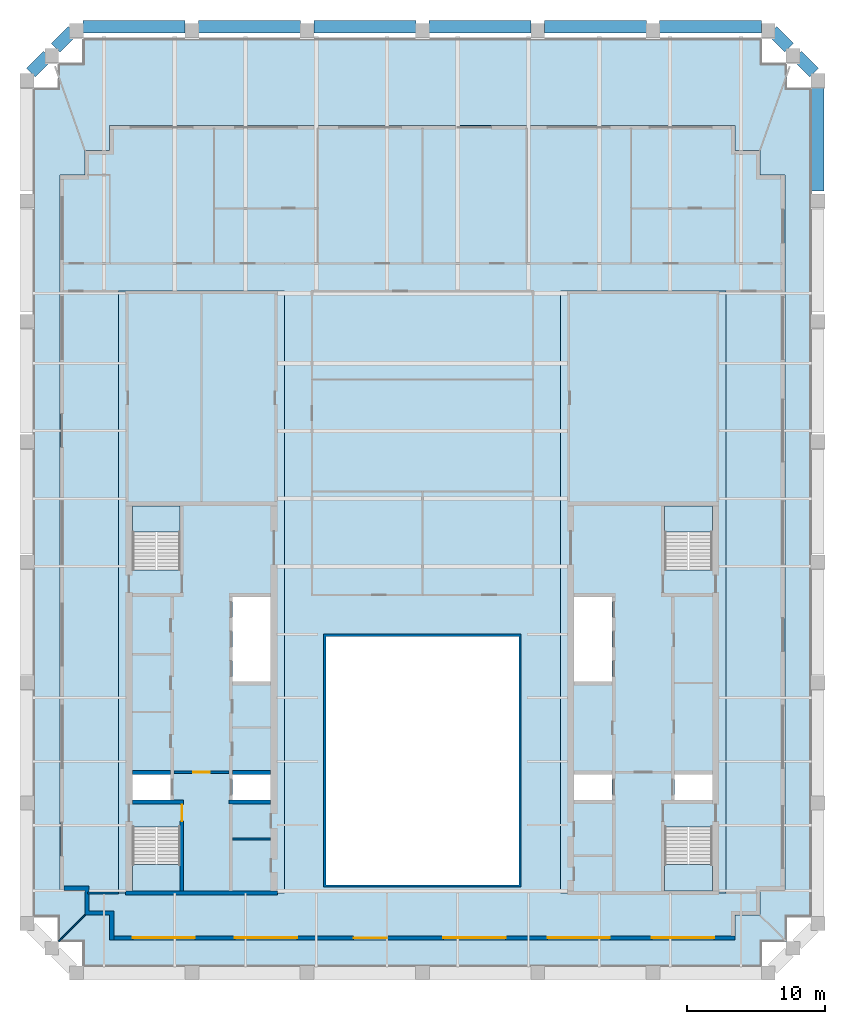
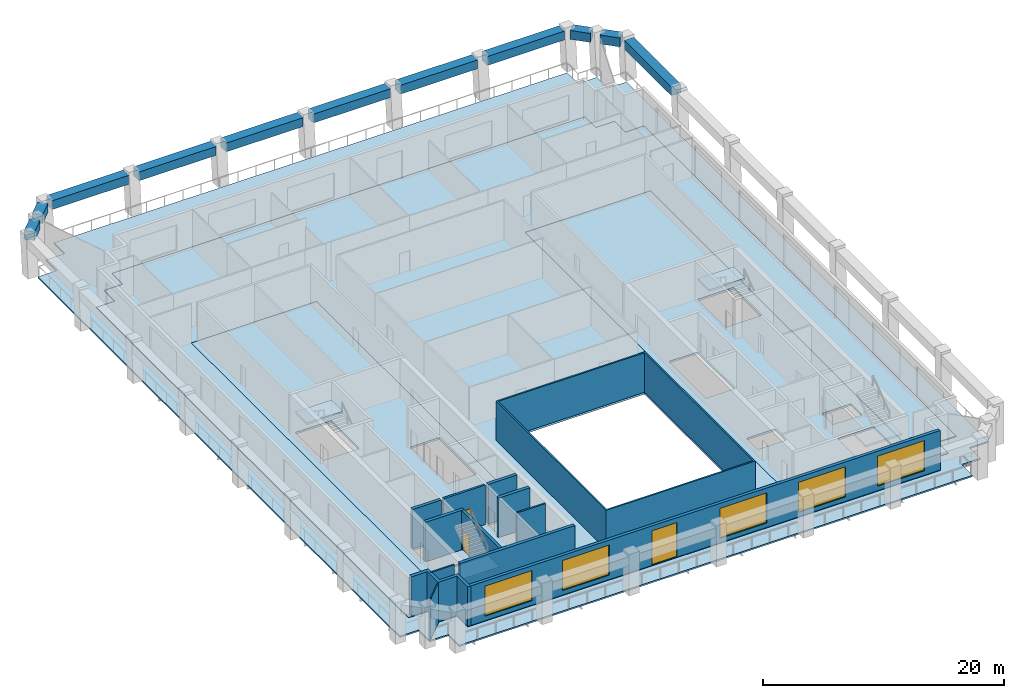
# One storey, part 2 of 8: 13 walls, 11 beams, 8 slabs, 5 windows, 3 doors, 8 openings, 4 elements without a shape of their own.
"""IFC4 building model written with IfcOpenShell, lengths in metres."""

from ifc_helpers import new_model, si_unit, direction, frame, frame_2d, origin, origin_2d, place, context, subcontext, project, spatial, polyline, rectangle, outline, extrude, material, layer, layer_set, material_profile, profile_set, type_object, element, fill, aggregate, save


model = new_model("IFC4")

# Units and contexts
model_context = context("Model", 3, precision=1e-05, world=origin(), true_north=direction((0.0, 1.0)))
body_context = subcontext(model_context, "Body", "Model", "MODEL_VIEW")
ifc_project = project(units=[si_unit("LENGTHUNIT", "METRE"), si_unit("AREAUNIT", "SQUARE_METRE"), si_unit("VOLUMEUNIT", "CUBIC_METRE"), si_unit("PLANEANGLEUNIT", "RADIAN"), si_unit("MASSUNIT", "GRAM", prefix="KILO")], contexts=[model_context])

# Site, building, storey
site_placement = place(None, origin())
site = spatial("IfcSite", under=ifc_project, at=site_placement, CompositionType="ELEMENT")
building_placement = place(site_placement, origin())
building = spatial("IfcBuilding", under=site, at=building_placement, Name="Ogive Exchange Tower", CompositionType="ELEMENT")
storey_placement = place(building_placement, frame((0.0, 0.0, 351.0)))
storey = spatial("IfcBuildingStorey", under=building, at=storey_placement, Name="L77", CompositionType="ELEMENT", Elevation=351.0)

# Beams
ifc_material_1 = material(Name="Precast concrete C70/85 (limestone faced)", Category="masonry")
ifc_material_profile = material_profile(ifc_material_1, rectangle(XDim=0.89990234375, YDim=0.89990234375, at=origin_2d()), Name="900 x 900")
ifc_profile_set = profile_set([ifc_material_profile], Name="Precast concrete C70/85 (limestone faced)")
beam_type = type_object("IfcBeamType", Name="Precast spandrel 900 x 900 C70/85", PredefinedType="SPANDREL", material=ifc_profile_set)
beam_1_placement = place(storey_placement, frame((28.64990234375, 48.26171875, 3.5), z_axis=(0.0, 1.0, 0.0), x_axis=(-1.0, 0.0, 0.0)))
element("IfcBeam", 1, at=beam_1_placement, inside=storey, type_object=beam_type, Name="Spandrel 15", PredefinedType="SPANDREL", context=body_context, shape_type="SweptSolid", body=[
    extrude(rectangle(XDim=0.89990234375, YDim=0.89990234375, at=origin_2d()), origin(), (0.0, 0.0, 1.0), 7.8037109375),
])
for number, where, z_axis, x_axis, name in (
    (2, (28.362060546875, 56.833251953125, 3.5), (-0.707036271462, 0.707177283881, 0.0), (-0.707177283881, -0.707036271462, 0.0), "Spandrel 16"),
    (3, (26.56201171875, 58.63330078125, 3.5), (-0.707036271462, 0.707177283881, 0.0), (-0.707177283881, -0.707036271462, 0.0), "Spandrel 17"),
):
    element("IfcBeam", number, at=place(storey_placement, frame(where, z_axis=z_axis, x_axis=x_axis)), inside=storey, type_object=beam_type, Name=name, PredefinedType="SPANDREL", context=body_context, shape_type="SweptSolid", body=[
        extrude(rectangle(XDim=0.89990234375, YDim=0.89990234375, at=origin_2d()), origin(), (0.0, 0.0, 1.0), 1.7314453125),
    ])
beam_2_placement = place(storey_placement, frame((24.570068359375, 60.1455078125, 3.5), z_axis=(-1.0, 0.0, 0.0), x_axis=(0.0, -1.0, 0.0)))
element("IfcBeam", 4, at=beam_2_placement, inside=storey, type_object=beam_type, Name="Spandrel 18", PredefinedType="SPANDREL", context=body_context, shape_type="SweptSolid", body=[
    extrude(rectangle(XDim=0.89990234375, YDim=0.89990234375, at=origin_2d()), origin(), (0.0, 0.0, 1.0), 7.39013671875),
])
beam_3_placement = place(storey_placement, frame((16.219970703125, 60.1455078125, 3.5), z_axis=(-1.0, 0.0, 0.0), x_axis=(0.0, -1.0, 0.0)))
element("IfcBeam", 5, at=beam_3_placement, inside=storey, type_object=beam_type, Name="Spandrel 19", PredefinedType="SPANDREL", context=body_context, shape_type="SweptSolid", body=[
    extrude(rectangle(XDim=0.89990234375, YDim=0.89990234375, at=origin_2d()), origin(), (0.0, 0.0, 1.0), 7.389892578125),
])
for number, where, z_axis, x_axis, name in (
    (6, (7.8701171875, 60.1455078125, 3.5), (-1.0, 0.0, 0.0), (0.0, -1.0, 0.0), "Spandrel 20"),
    (7, (-0.47998046875, 60.1455078125, 3.5), (-1.0, 0.0, 0.0), (0.0, -1.0, 0.0), "Spandrel 21"),
):
    element("IfcBeam", number, at=place(storey_placement, frame(where, z_axis=z_axis, x_axis=x_axis)), inside=storey, type_object=beam_type, Name=name, PredefinedType="SPANDREL", context=body_context, shape_type="SweptSolid", body=[
        extrude(rectangle(XDim=0.89990234375, YDim=0.89990234375, at=origin_2d()), origin(), (0.0, 0.0, 1.0), 7.39013671875),
    ])
beam_4_placement = place(storey_placement, frame((-8.830078125, 60.1455078125, 3.5), z_axis=(-1.0, 0.0, 0.0), x_axis=(0.0, -1.0, 0.0)))
element("IfcBeam", 8, at=beam_4_placement, inside=storey, type_object=beam_type, Name="Spandrel 22", PredefinedType="SPANDREL", context=body_context, shape_type="SweptSolid", body=[
    extrude(rectangle(XDim=0.89990234375, YDim=0.89990234375, at=origin_2d()), origin(), (0.0, 0.0, 1.0), 7.389892578125),
])
beam_5_placement = place(storey_placement, frame((-17.179931640625, 60.1455078125, 3.5), z_axis=(-1.0, 0.0, 0.0), x_axis=(0.0, -1.0, 0.0)))
element("IfcBeam", 9, at=beam_5_placement, inside=storey, type_object=beam_type, Name="Spandrel 23", PredefinedType="SPANDREL", context=body_context, shape_type="SweptSolid", body=[
    extrude(rectangle(XDim=0.89990234375, YDim=0.89990234375, at=origin_2d()), origin(), (0.0, 0.0, 1.0), 7.39013671875),
])
for number, where, z_axis, x_axis, name in (
    (10, (-25.337890625, 59.857666015625, 3.5), (-0.707036271462, -0.707177283881, 0.0), (0.707177283881, -0.707036271462, 0.0), "Spandrel 24"),
    (11, (-27.137939453125, 58.0576171875, 3.5), (-0.707036271462, -0.707177283881, 0.0), (0.707177283881, -0.707036271462, 0.0), "Spandrel 25"),
):
    element("IfcBeam", number, at=place(storey_placement, frame(where, z_axis=z_axis, x_axis=x_axis)), inside=storey, type_object=beam_type, Name=name, PredefinedType="SPANDREL", context=body_context, shape_type="SweptSolid", body=[
        extrude(rectangle(XDim=0.89990234375, YDim=0.89990234375, at=origin_2d()), origin(), (0.0, 0.0, 1.0), 1.7314453125),
    ])

# Slabs
ifc_material_2 = material(Name="Concrete C50/60", Category="concrete")
ifc_layer_1 = layer(ifc_material_2, 0.199951171875)
ifc_layer_set_1 = layer_set([ifc_layer_1], Name="Composite floor slab 200")
slab_type_1 = type_object("IfcSlabType", Name="Composite floor slab 200", PredefinedType="FLOOR", material=ifc_layer_set_1)
slab_1_placement = place(storey_placement, frame((0.0, 0.0, -0.199951171875)))
element("IfcSlab", 12, at=slab_1_placement, inside=storey, type_object=slab_type_1, Name="Composite floor slab", PredefinedType="FLOOR", context=body_context, shape_type="SweptSolid", body=[
    extrude(outline(polyline([(-22.64990234375, -4.199951171875), (-24.449951171875, -4.199951171875), (-24.449951171875, -2.39990234375), (-26.25, -2.39990234375), (-26.25, 49.39990234375), (-24.449951171875, 49.39990234375), (-24.449951171875, 51.199951171875), (-22.64990234375, 51.199951171875), (-22.64990234375, 53.0), (22.64990234375, 53.0), (22.64990234375, 51.199951171875), (24.449951171875, 51.199951171875), (24.449951171875, 49.39990234375), (26.25, 49.39990234375), (26.25, -2.39990234375), (24.449951171875, -2.39990234375), (24.449951171875, -4.199951171875), (22.64990234375, -4.199951171875), (22.64990234375, -6.0), (-22.64990234375, -6.0), (-22.64990234375, -4.199951171875)]), holes=[polyline([(7.0, -2.0), (7.0, 16.0), (-7.0, 16.0), (-7.0, -2.0), (7.0, -2.0)]), polyline([(-22.0, -2.60009765625), (-10.0, -2.60009765625), (-10.0, 41.0), (-22.0, 41.0), (-22.0, -2.60009765625)]), polyline([(10.0, -2.60009765625), (22.0, -2.60009765625), (22.0, 41.0), (10.0, 41.0), (10.0, -2.60009765625)])]), origin(), (0.0, 0.0, 1.0), 0.199951171875),
])
ifc_material_3 = material(Name="Concrete C70/85", Category="concrete")
ifc_layer_2 = layer(ifc_material_3, 0.199951171875)
ifc_layer_set_2 = layer_set([ifc_layer_2], Name="Core floor slab 200")
slab_type_2 = type_object("IfcSlabType", Name="Core floor slab 200", PredefinedType="FLOOR", material=ifc_layer_set_2)
slab_2_placement = place(storey_placement, frame((0.0, 0.0, -0.199951171875)))
element("IfcSlab", 13, at=slab_2_placement, inside=storey, type_object=slab_type_2, Name="Core floor slab", PredefinedType="FLOOR", context=body_context, shape_type="SweptSolid", body=[
    extrude(outline(polyline([(-22.0, -2.60009765625), (-22.0, 41.0), (-10.0, 41.0), (-10.0, -2.60009765625), (-22.0, -2.60009765625)]), holes=[polyline([(-17.550048828125, 2.196044921875), (-21.0, 2.196044921875), (-21.0, -2.449951171875), (-17.550048828125, -2.449951171875), (-17.550048828125, 2.196044921875)]), polyline([(-21.0, 5.992919921875), (-21.0, 4.14990234375), (-18.25, 4.14990234375), (-18.25, 5.992919921875), (-21.0, 5.992919921875)]), polyline([(-13.75, 5.992919921875), (-13.75, 4.14990234375), (-11.0, 4.14990234375), (-11.0, 5.992919921875), (-13.75, 5.992919921875)]), polyline([(-11.0, 18.85009765625), (-13.75, 18.85009765625), (-13.75, 12.721435546875), (-11.0, 12.721435546875), (-11.0, 18.85009765625)]), polyline([(-21.0, 25.449951171875), (-21.0, 20.803955078125), (-17.550048828125, 20.803955078125), (-17.550048828125, 25.449951171875), (-21.0, 25.449951171875)])]), origin(), (0.0, 0.0, 1.0), 0.199951171875),
])
slab_3_placement = place(storey_placement, frame((0.0, 0.0, -0.199951171875)))
element("IfcSlab", 14, at=slab_3_placement, inside=storey, type_object=slab_type_2, Name="Core floor slab", PredefinedType="FLOOR", context=body_context, shape_type="SweptSolid", body=[
    extrude(outline(polyline([(10.0, -2.60009765625), (10.0, 41.0), (22.0, 41.0), (22.0, -2.60009765625), (10.0, -2.60009765625)]), holes=[polyline([(21.0, 2.196044921875), (17.550048828125, 2.196044921875), (17.550048828125, -2.449951171875), (21.0, -2.449951171875), (21.0, 2.196044921875)]), polyline([(11.0, 5.992919921875), (11.0, 4.14990234375), (13.75, 4.14990234375), (13.75, 5.992919921875), (11.0, 5.992919921875)]), polyline([(18.25, 5.992919921875), (18.25, 4.14990234375), (21.0, 4.14990234375), (21.0, 5.992919921875), (18.25, 5.992919921875)]), polyline([(13.75, 18.85009765625), (11.0, 18.85009765625), (11.0, 12.721435546875), (13.75, 12.721435546875), (13.75, 18.85009765625)]), polyline([(17.550048828125, 25.449951171875), (17.550048828125, 20.803955078125), (21.0, 20.803955078125), (21.0, 25.449951171875), (17.550048828125, 25.449951171875)])]), origin(), (0.0, 0.0, 1.0), 0.199951171875),
])
ifc_layer_3 = layer(ifc_material_2, 0.14990234375)
ifc_layer_set_3 = layer_set([ifc_layer_3], Name="Loggia deck 150")
slab_type_3 = type_object("IfcSlabType", Name="Loggia deck 150", PredefinedType="FLOOR", material=ifc_layer_set_3)
slab_4_placement = place(storey_placement, frame((0.0, 0.0, -0.199951171875)))
element("IfcSlab", 15, at=slab_4_placement, inside=storey, type_object=slab_type_3, Name="Loggia deck", PredefinedType="FLOOR", context=body_context, shape_type="SweptSolid", body=[
    extrude(outline(polyline([(-24.60009765625, -6.14990234375), (-26.39990234375, -6.14990234375), (-26.39990234375, -4.35009765625), (-28.199951171875, -4.35009765625), (-28.199951171875, 55.713623046875), (-26.39990234375, 55.713623046875), (-26.39990234375, 57.513671875), (-24.60009765625, 57.513671875), (-24.60009765625, 59.313720703125), (24.60009765625, 59.313720703125), (24.60009765625, 57.513671875), (26.39990234375, 57.513671875), (26.39990234375, 55.713623046875), (28.199951171875, 55.713623046875), (28.199951171875, -4.35009765625), (26.39990234375, -4.35009765625), (26.39990234375, -6.14990234375), (24.60009765625, -6.14990234375), (24.60009765625, -7.949951171875), (-24.60009765625, -7.949951171875), (-24.60009765625, -6.14990234375)]), holes=[polyline([(22.64990234375, -4.199951171875), (24.449951171875, -4.199951171875), (24.449951171875, -2.39990234375), (26.25, -2.39990234375), (26.25, 49.39990234375), (24.449951171875, 49.39990234375), (24.449951171875, 51.199951171875), (22.64990234375, 51.199951171875), (22.64990234375, 53.0), (-22.64990234375, 53.0), (-22.64990234375, 51.199951171875), (-24.449951171875, 51.199951171875), (-24.449951171875, 49.39990234375), (-26.25, 49.39990234375), (-26.25, -2.39990234375), (-24.449951171875, -2.39990234375), (-24.449951171875, -4.199951171875), (-22.64990234375, -4.199951171875), (-22.64990234375, -6.0), (22.64990234375, -6.0), (22.64990234375, -4.199951171875)])]), origin(), (0.0, 0.0, 1.0), 0.14990234375),
])

# Stair, slab
ifc_material_4 = material(Name="Concrete C40/50", Category="concrete")
stair_type = type_object("IfcStairType", Name="Exit stair 1650 wide", PredefinedType="HALF_TURN_STAIR", material=ifc_material_4)
stair_1_placement = place(storey_placement, origin())
stair_1 = element("IfcStair", 16, at=stair_1_placement, inside=storey, type_object=stair_type, Name="L77 exit stair ST1", PredefinedType="HALF_TURN_STAIR")
ifc_layer_4 = layer(ifc_material_4, 0.199951171875)
ifc_layer_set_4 = layer_set([ifc_layer_4], Name="Stair landing 200 slab")
slab_type_4 = type_object("IfcSlabType", Name="Stair landing 200 slab", PredefinedType="LANDING", material=ifc_layer_set_4)
slab_5_placement = place(storey_placement, frame((0.0, 0.0, 1.89990234375)))
slab_5 = element("IfcSlab", 17, at=slab_5_placement, type_object=slab_type_4, Name="ST1 landing 1", PredefinedType="LANDING", context=body_context, shape_type="SweptSolid", body=[
    extrude(outline(polyline([(-21.0, -0.550048828125), (-21.0, -2.449951171875), (-17.550048828125, -2.449951171875), (-17.550048828125, -0.550048828125), (-21.0, -0.550048828125)])), origin(), (0.0, 0.0, 1.0), 0.2001953125),
])
aggregate(stair_1, [slab_5])

stair_2_placement = place(storey_placement, origin())
stair_2 = element("IfcStair", 18, at=stair_2_placement, inside=storey, type_object=stair_type, Name="L77 exit stair ST2", PredefinedType="HALF_TURN_STAIR")
slab_6_placement = place(storey_placement, frame((0.0, 0.0, 1.89990234375)))
slab_6 = element("IfcSlab", 19, at=slab_6_placement, type_object=slab_type_4, Name="ST2 landing 1", PredefinedType="LANDING", context=body_context, shape_type="SweptSolid", body=[
    extrude(outline(polyline([(-17.550048828125, 23.550048828125), (-17.550048828125, 25.449951171875), (-21.0, 25.449951171875), (-21.0, 23.550048828125), (-17.550048828125, 23.550048828125)])), origin(), (0.0, 0.0, 1.0), 0.2001953125),
])
aggregate(stair_2, [slab_6])

stair_3_placement = place(storey_placement, origin())
stair_3 = element("IfcStair", 20, at=stair_3_placement, inside=storey, type_object=stair_type, Name="L77 exit stair ST3", PredefinedType="HALF_TURN_STAIR")
slab_7_placement = place(storey_placement, frame((0.0, 0.0, 1.89990234375)))
slab_7 = element("IfcSlab", 21, at=slab_7_placement, type_object=slab_type_4, Name="ST3 landing 1", PredefinedType="LANDING", context=body_context, shape_type="SweptSolid", body=[
    extrude(outline(polyline([(17.550048828125, -0.550048828125), (17.550048828125, -2.449951171875), (21.0, -2.449951171875), (21.0, -0.550048828125), (17.550048828125, -0.550048828125)])), origin(), (0.0, 0.0, 1.0), 0.2001953125),
])
aggregate(stair_3, [slab_7])

stair_4_placement = place(storey_placement, origin())
stair_4 = element("IfcStair", 22, at=stair_4_placement, inside=storey, type_object=stair_type, Name="L77 exit stair ST4", PredefinedType="HALF_TURN_STAIR")
slab_8_placement = place(storey_placement, frame((0.0, 0.0, 1.89990234375)))
slab_8 = element("IfcSlab", 23, at=slab_8_placement, type_object=slab_type_4, Name="ST4 landing 1", PredefinedType="LANDING", context=body_context, shape_type="SweptSolid", body=[
    extrude(outline(polyline([(21.0, 23.550048828125), (21.0, 25.449951171875), (17.550048828125, 25.449951171875), (17.550048828125, 23.550048828125), (21.0, 23.550048828125)])), origin(), (0.0, 0.0, 1.0), 0.2001953125),
])
aggregate(stair_4, [slab_8])

# Walls
ifc_material_5 = material(Name="Gypsum board partition")
ifc_layer_5 = layer(ifc_material_5, 0.14990234375)
ifc_layer_set_5 = layer_set([ifc_layer_5], Name="Core room partition 150 gypsum")
wall_type_1 = type_object("IfcWallType", Name="Core room partition 150 gypsum", PredefinedType="PARTITIONING", material=ifc_layer_set_5)
wall_1_placement = place(storey_placement, frame((-13.75, 1.300048828125, 0.0), z_axis=(0.0, 0.0, 1.0), x_axis=(1.0, 0.0, 0.0)))
element("IfcWall", 24, at=wall_1_placement, inside=storey, type_object=wall_type_1, Name="W south room partition", PredefinedType="PARTITIONING", context=body_context, shape_type="SweptSolid", body=[
    extrude(rectangle(XDim=2.75, YDim=0.14990234375, at=frame_2d((1.375, 0.0))), origin(), (0.0, 0.0, 1.0), 4.0),
])
ifc_material_6 = material(Name="Fire partition EI 60 150")
ifc_layer_6 = layer(ifc_material_6, 0.14990234375)
ifc_layer_set_6 = layer_set([ifc_layer_6], Name="Fire partition EI 60 150")
wall_type_2 = type_object("IfcWallType", Name="Fire partition EI 60 150", PredefinedType="PARTITIONING", material=ifc_layer_set_6)
wall_2_placement = place(storey_placement, frame((-24.25, -2.60009765625, 0.0), z_axis=(0.0, 0.0, 1.0), x_axis=(1.0, 0.0, 0.0)))
element("IfcWall", 25, at=wall_2_placement, inside=storey, type_object=wall_type_2, Name="L77-PWL-002", PredefinedType="PARTITIONING", context=body_context, shape_type="SweptSolid", body=[
    extrude(rectangle(XDim=2.25, YDim=0.14990234375, at=frame_2d((1.125, 0.0))), origin(), (0.0, 0.0, 1.0), 4.0),
])
ifc_material_7 = material(Name="Fire-resisting glass in steel frame", Category="steel")
ifc_layer_7 = layer(ifc_material_7, 0.14990234375)
ifc_layer_set_7 = layer_set([ifc_layer_7], Name="Fire-rated glazed wall 150")
wall_type_3 = type_object("IfcWallType", Name="Fire-rated glazed wall 150", PredefinedType="STANDARD", material=ifc_layer_set_7)
wall_3_placement = place(storey_placement, origin())
element("IfcWall", 26, at=wall_3_placement, inside=storey, type_object=wall_type_3, Name="Nave enclosure wall", PredefinedType="STANDARD", context=body_context, shape_type="SweptSolid", body=[
    extrude(outline(polyline([(-7.14990234375, -2.14990234375), (7.14990234375, -2.14990234375), (7.14990234375, 16.14990234375), (-7.14990234375, 16.14990234375), (-7.14990234375, -2.14990234375)]), holes=[polyline([(-7.0, -2.0), (-7.0, 16.0), (7.0, 16.0), (7.0, -2.0), (-7.0, -2.0)])]), origin(), (0.0, 0.0, 1.0), 4.0),
])

# Wall, openings, door, windows
ifc_material_8 = material(Name="Precast concrete C40/50", Category="concrete")
ifc_layer_8 = layer(ifc_material_8, 0.300048828125)
ifc_layer_set_8 = layer_set([ifc_layer_8], Name="Limestone-faced wall 300")
wall_type_4 = type_object("IfcWallType", Name="Limestone-faced wall 300", PredefinedType="STANDARD", material=ifc_layer_set_8)
wall_4_placement = place(storey_placement, frame((-22.35009765625, -5.85009765625, 0.0), z_axis=(0.0, 0.0, 1.0), x_axis=(1.0, 0.0, 0.0)))
wall_4 = element("IfcWall", 27, at=wall_4_placement, inside=storey, type_object=wall_type_4, Name="External wall S1", PredefinedType="STANDARD", context=body_context, shape_type="SweptSolid", body=[
    extrude(rectangle(XDim=45.0, YDim=0.300048828125, at=frame_2d((22.5, 0.0))), origin(), (0.0, 0.0, 1.0), 4.0),
])
opening_1_placement = place(wall_4_placement, frame((1.375, 0.0, 0.449951171875)))
opening_1 = element("IfcOpeningElement", 28, at=opening_1_placement, cuts=wall_4, Name="Opening W1", PredefinedType="OPENING", context=body_context, shape_type="SweptSolid", body=[
    extrude(rectangle(XDim=4.5, YDim=3.050048828125, at=frame_2d((2.25, 1.52490234375))), frame((0.0, 0.159912109375, 0.0), z_axis=(0.0, -1.0, 0.0), x_axis=(1.0, 0.0, 0.0)), (0.0, 0.0, 1.0), 0.320068359375),
])
opening_2_placement = place(wall_4_placement, frame((8.77490234375, 0.0, 0.449951171875)))
opening_2 = element("IfcOpeningElement", 29, at=opening_2_placement, cuts=wall_4, Name="Opening W1", PredefinedType="OPENING", context=body_context, shape_type="SweptSolid", body=[
    extrude(rectangle(XDim=4.5, YDim=3.050048828125, at=frame_2d((2.25, 1.52490234375))), frame((0.0, 0.159912109375, 0.0), z_axis=(0.0, -1.0, 0.0), x_axis=(1.0, 0.0, 0.0)), (0.0, 0.0, 1.0), 0.320068359375),
])
opening_3_placement = place(wall_4_placement, frame((17.375, 0.0, 0.0)))
opening_3 = element("IfcOpeningElement", 30, at=opening_3_placement, cuts=wall_4, Name="Opening D1", PredefinedType="OPENING", context=body_context, shape_type="SweptSolid", body=[
    extrude(rectangle(XDim=2.39990234375, YDim=3.5, at=frame_2d((1.199951171875, 1.75))), frame((0.0, 0.159912109375, 0.0), z_axis=(0.0, -1.0, 0.0), x_axis=(1.0, 0.0, 0.0)), (0.0, 0.0, 1.0), 0.320068359375),
])
opening_4_placement = place(wall_4_placement, frame((23.875, 0.0, 0.449951171875)))
opening_4 = element("IfcOpeningElement", 31, at=opening_4_placement, cuts=wall_4, Name="Opening W1", PredefinedType="OPENING", context=body_context, shape_type="SweptSolid", body=[
    extrude(rectangle(XDim=4.5, YDim=3.050048828125, at=frame_2d((2.25, 1.52490234375))), frame((0.0, 0.159912109375, 0.0), z_axis=(0.0, -1.0, 0.0), x_axis=(1.0, 0.0, 0.0)), (0.0, 0.0, 1.0), 0.320068359375),
])
opening_5_placement = place(wall_4_placement, frame((31.425048828125, 0.0, 0.449951171875)))
opening_5 = element("IfcOpeningElement", 32, at=opening_5_placement, cuts=wall_4, Name="Opening W1", PredefinedType="OPENING", context=body_context, shape_type="SweptSolid", body=[
    extrude(rectangle(XDim=4.5, YDim=3.050048828125, at=frame_2d((2.25, 1.52490234375))), frame((0.0, 0.159912109375, 0.0), z_axis=(0.0, -1.0, 0.0), x_axis=(1.0, 0.0, 0.0)), (0.0, 0.0, 1.0), 0.320068359375),
])
opening_6_placement = place(wall_4_placement, frame((38.97509765625, 0.0, 0.449951171875)))
opening_6 = element("IfcOpeningElement", 33, at=opening_6_placement, cuts=wall_4, Name="Opening W1", PredefinedType="OPENING", context=body_context, shape_type="SweptSolid", body=[
    extrude(rectangle(XDim=4.5, YDim=3.050048828125, at=frame_2d((2.25, 1.52490234375))), frame((0.0, 0.159912109375, 0.0), z_axis=(0.0, -1.0, 0.0), x_axis=(1.0, 0.0, 0.0)), (0.0, 0.0, 1.0), 0.320068359375),
])
ifc_material_9 = material(Name="Clear glass in bronze frame", Category="glass")
door_type_1 = type_object("IfcDoorType", Name="Sliding loggia door 2400 x 3500", OperationType="DOUBLE_DOOR_SLIDING", PredefinedType="DOOR", material=ifc_material_9)
door_1_placement = place(opening_3_placement, origin())
door_1 = element("IfcDoor", 34, at=door_1_placement, inside=storey, type_object=door_type_1, Name="Loggia door S02", OperationType="DOUBLE_DOOR_SLIDING", OverallHeight=3.5, OverallWidth=2.39990234375, PredefinedType="DOOR", context=body_context, shape_type="SweptSolid", body=[
    extrude(rectangle(XDim=2.39990234375, YDim=3.5, at=frame_2d((1.199951171875, 1.75))), frame((0.0, 0.02490234375, 0.0), z_axis=(0.0, -1.0, 0.0), x_axis=(1.0, 0.0, 0.0)), (0.0, 0.0, 1.0), 0.050048828125),
])
fill(opening_3, door_1)
window_type = type_object("IfcWindowType", Name="Twin lancet window 4500 x 3050", PartitioningType="DOUBLE_PANEL_VERTICAL", PredefinedType="WINDOW", material=ifc_material_9)
window_1_placement = place(opening_1_placement, origin())
window_1 = element("IfcWindow", 35, at=window_1_placement, inside=storey, type_object=window_type, Name="Window S00", OverallHeight=3.050048828125, OverallWidth=4.5, PartitioningType="DOUBLE_PANEL_VERTICAL", PredefinedType="WINDOW", context=body_context, shape_type="SweptSolid", body=[
    extrude(rectangle(XDim=4.5, YDim=3.050048828125, at=frame_2d((2.25, 1.52490234375))), frame((0.0, 0.030029296875, 0.0), z_axis=(0.0, -1.0, 0.0), x_axis=(1.0, 0.0, 0.0)), (0.0, 0.0, 1.0), 0.06005859375),
])
fill(opening_1, window_1)
window_2_placement = place(opening_2_placement, origin())
window_2 = element("IfcWindow", 36, at=window_2_placement, inside=storey, type_object=window_type, Name="Window S01", OverallHeight=3.050048828125, OverallWidth=4.5, PartitioningType="DOUBLE_PANEL_VERTICAL", PredefinedType="WINDOW", context=body_context, shape_type="SweptSolid", body=[
    extrude(rectangle(XDim=4.5, YDim=3.050048828125, at=frame_2d((2.25, 1.52490234375))), frame((0.0, 0.030029296875, 0.0), z_axis=(0.0, -1.0, 0.0), x_axis=(1.0, 0.0, 0.0)), (0.0, 0.0, 1.0), 0.06005859375),
])
fill(opening_2, window_2)
window_3_placement = place(opening_4_placement, origin())
window_3 = element("IfcWindow", 37, at=window_3_placement, inside=storey, type_object=window_type, Name="Window S03", OverallHeight=3.050048828125, OverallWidth=4.5, PartitioningType="DOUBLE_PANEL_VERTICAL", PredefinedType="WINDOW", context=body_context, shape_type="SweptSolid", body=[
    extrude(rectangle(XDim=4.5, YDim=3.050048828125, at=frame_2d((2.25, 1.52490234375))), frame((0.0, 0.030029296875, 0.0), z_axis=(0.0, -1.0, 0.0), x_axis=(1.0, 0.0, 0.0)), (0.0, 0.0, 1.0), 0.06005859375),
])
fill(opening_4, window_3)
window_4_placement = place(opening_5_placement, origin())
window_4 = element("IfcWindow", 38, at=window_4_placement, inside=storey, type_object=window_type, Name="Window S04", OverallHeight=3.050048828125, OverallWidth=4.5, PartitioningType="DOUBLE_PANEL_VERTICAL", PredefinedType="WINDOW", context=body_context, shape_type="SweptSolid", body=[
    extrude(rectangle(XDim=4.5, YDim=3.050048828125, at=frame_2d((2.25, 1.52490234375))), frame((0.0, 0.030029296875, 0.0), z_axis=(0.0, -1.0, 0.0), x_axis=(1.0, 0.0, 0.0)), (0.0, 0.0, 1.0), 0.06005859375),
])
fill(opening_5, window_4)
window_5_placement = place(opening_6_placement, origin())
window_5 = element("IfcWindow", 39, at=window_5_placement, inside=storey, type_object=window_type, Name="Window S05", OverallHeight=3.050048828125, OverallWidth=4.5, PartitioningType="DOUBLE_PANEL_VERTICAL", PredefinedType="WINDOW", context=body_context, shape_type="SweptSolid", body=[
    extrude(rectangle(XDim=4.5, YDim=3.050048828125, at=frame_2d((2.25, 1.52490234375))), frame((0.0, 0.030029296875, 0.0), z_axis=(0.0, -1.0, 0.0), x_axis=(1.0, 0.0, 0.0)), (0.0, 0.0, 1.0), 0.06005859375),
])
fill(opening_6, window_5)

# Walls
wall_5_placement = place(storey_placement, origin())
element("IfcWall", 40, at=wall_5_placement, inside=storey, type_object=wall_type_4, Name="External corner wall C4", PredefinedType="STANDARD", context=body_context, shape_type="SweptSolid", body=[
    extrude(outline(polyline([(-22.64990234375, -4.199951171875), (-24.449951171875, -4.199951171875), (-24.449951171875, -2.39990234375), (-25.949951171875, -2.39990234375), (-25.949951171875, -2.10009765625), (-24.14990234375, -2.10009765625), (-24.14990234375, -3.89990234375), (-22.35009765625, -3.89990234375), (-22.35009765625, -6.0), (-22.64990234375, -6.0), (-22.64990234375, -4.199951171875)])), origin(), (0.0, 0.0, 1.0), 4.0),
])
ifc_material_10 = material(Name="Laminated safety glass in steel frame", Category="steel")
ifc_layer_9 = layer(ifc_material_10, 0.10009765625)
ifc_layer_set_9 = layer_set([ifc_layer_9], Name="Loggia end screen 100")
wall_type_5 = type_object("IfcWallType", Name="Loggia end screen 100", PredefinedType="STANDARD", material=ifc_layer_set_9)
wall_6_placement = place(storey_placement, frame((-24.449951171875, -4.199951171875, -0.050048828125), z_axis=(0.0, 0.0, 1.0), x_axis=(-0.707106781187, -0.707106781187, 0.0)))
element("IfcWall", 41, at=wall_6_placement, inside=storey, type_object=wall_type_5, Name="Loggia end screen C4", PredefinedType="STANDARD", context=body_context, shape_type="SweptSolid", body=[
    extrude(rectangle(XDim=2.667236328125, YDim=0.10009765625, at=frame_2d((1.33349609375, 0.0))), origin(), (0.0, 0.0, 1.0), 4.050048828125),
])

# Wall, opening, door
ifc_layer_10 = layer(ifc_material_3, 0.199951171875)
ifc_layer_set_10 = layer_set([ifc_layer_10], Name="RC core wall 200 C70/85")
wall_type_6 = type_object("IfcWallType", Name="RC core wall 200 C70/85", PredefinedType="SHEAR", material=ifc_layer_set_10)
wall_7_placement = place(storey_placement, frame((-18.0, 6.142822265625, 0.0), z_axis=(0.0, 0.0, 1.0), x_axis=(1.0, 0.0, 0.0)))
wall_7 = element("IfcWall", 42, at=wall_7_placement, inside=storey, type_object=wall_type_6, Name="W firefighting lobby wall", PredefinedType="SHEAR", context=body_context, shape_type="SweptSolid", body=[
    extrude(rectangle(XDim=4.0, YDim=0.199951171875, at=frame_2d((2.0, 0.0))), origin(), (0.0, 0.0, 1.0), 4.0),
])
opening_7_placement = place(wall_7_placement, frame((1.39990234375, 0.0, 0.0)))
opening_7 = element("IfcOpeningElement", 43, at=opening_7_placement, cuts=wall_7, Name="Opening L77-C11", PredefinedType="OPENING", context=body_context, shape_type="SweptSolid", body=[
    extrude(rectangle(XDim=1.199951171875, YDim=2.10009765625, at=frame_2d((0.60009765625, 1.050048828125))), frame((0.0, 0.10986328125, 0.0), z_axis=(0.0, -1.0, 0.0), x_axis=(1.0, 0.0, 0.0)), (0.0, 0.0, 1.0), 0.219970703125),
])
ifc_material_11 = material(Name="Steel fire door", Category="steel")
door_type_2 = type_object("IfcDoorType", Name="Firefighting lobby door FD60 1200 x 2100", OperationType="NOTDEFINED", PredefinedType="DOOR", material=ifc_material_11)
door_2_placement = place(opening_7_placement, frame((1.199951171875, 0.0, 0.0), z_axis=(0.0, 0.0, 1.0), x_axis=(-1.0, 0.0, 0.0)))
door_2 = element("IfcDoor", 44, at=door_2_placement, inside=storey, type_object=door_type_2, Name="Firefighting lobby door", ObjectType="CD3", OperationType="SINGLE_SWING_LEFT", OverallHeight=2.10009765625, OverallWidth=1.199951171875, PredefinedType="DOOR", context=body_context, shape_type="SweptSolid", body=[
    extrude(rectangle(XDim=1.199951171875, YDim=2.10009765625, at=frame_2d((0.60009765625, 1.050048828125))), frame((0.0, 0.02490234375, 0.0), z_axis=(0.0, -1.0, 0.0), x_axis=(1.0, 0.0, 0.0)), (0.0, 0.0, 1.0), 0.050048828125),
])
fill(opening_7, door_2)

ifc_layer_11 = layer(ifc_material_3, 0.25)
ifc_layer_set_11 = layer_set([ifc_layer_11], Name="RC core wall 250 C70/85")
wall_type_7 = type_object("IfcWallType", Name="RC core wall 250 C70/85", PredefinedType="SHEAR", material=ifc_layer_set_11)
wall_8_placement = place(storey_placement, frame((-17.425048828125, -2.449951171875, 0.0), z_axis=(0.0, 0.0, 1.0), x_axis=(0.0, 1.0, 0.0)))
wall_8 = element("IfcWall", 45, at=wall_8_placement, inside=storey, type_object=wall_type_7, Name="W stair S front wall", PredefinedType="SHEAR", context=body_context, shape_type="SweptSolid", body=[
    extrude(rectangle(XDim=6.300048828125, YDim=0.25, at=frame_2d((3.14990234375, 0.0))), origin(), (0.0, 0.0, 1.0), 4.0),
])
opening_8_placement = place(wall_8_placement, frame((5.050048828125, 0.0, 0.0)))
opening_8 = element("IfcOpeningElement", 46, at=opening_8_placement, cuts=wall_8, Name="Opening L77-C13", PredefinedType="OPENING", context=body_context, shape_type="SweptSolid", body=[
    extrude(rectangle(XDim=1.199951171875, YDim=2.10009765625, at=frame_2d((0.60009765625, 1.050048828125))), frame((0.0, 0.135009765625, 0.0), z_axis=(0.0, -1.0, 0.0), x_axis=(1.0, 0.0, 0.0)), (0.0, 0.0, 1.0), 0.27001953125),
])
door_type_3 = type_object("IfcDoorType", Name="Stair door FD90 1200 x 2100", OperationType="NOTDEFINED", PredefinedType="DOOR", material=ifc_material_11)
door_3_placement = place(opening_8_placement, origin())
door_3 = element("IfcDoor", 47, at=door_3_placement, inside=storey, type_object=door_type_3, Name="Stair door", ObjectType="CD5", OperationType="SINGLE_SWING_LEFT", OverallHeight=2.10009765625, OverallWidth=1.199951171875, PredefinedType="DOOR", context=body_context, shape_type="SweptSolid", body=[
    extrude(rectangle(XDim=1.199951171875, YDim=2.10009765625, at=frame_2d((0.60009765625, 1.050048828125))), frame((0.0, 0.02490234375, 0.0), z_axis=(0.0, -1.0, 0.0), x_axis=(1.0, 0.0, 0.0)), (0.0, 0.0, 1.0), 0.050048828125),
])
fill(opening_8, door_3)

# Walls
ifc_layer_12 = layer(ifc_material_3, 0.300048828125)
ifc_layer_set_12 = layer_set([ifc_layer_12], Name="RC core wall 300 C70/85")
wall_type_8 = type_object("IfcWallType", Name="RC core wall 300 C70/85", PredefinedType="SHEAR", material=ifc_layer_set_12)
wall_9_placement = place(storey_placement, frame((-21.5, -2.60009765625, 0.0), z_axis=(0.0, 0.0, 1.0), x_axis=(1.0, 0.0, 0.0)))
element("IfcWall", 48, at=wall_9_placement, inside=storey, type_object=wall_type_8, Name="W south end wall", PredefinedType="SHEAR", context=body_context, shape_type="SweptSolid", body=[
    extrude(rectangle(XDim=11.0, YDim=0.300048828125, at=frame_2d((5.5, 0.0))), origin(), (0.0, 0.0, 1.0), 4.0),
])
wall_10_placement = place(storey_placement, frame((-21.0, 4.0, 0.0), z_axis=(0.0, 0.0, 1.0), x_axis=(1.0, 0.0, 0.0)))
element("IfcWall", 49, at=wall_10_placement, inside=storey, type_object=wall_type_8, Name="W stair S north wall", PredefinedType="SHEAR", context=body_context, shape_type="SweptSolid", body=[
    extrude(rectangle(XDim=3.699951171875, YDim=0.300048828125, at=frame_2d((1.85009765625, 0.0))), origin(), (0.0, 0.0, 1.0), 4.0),
])
wall_11_placement = place(storey_placement, frame((-21.0, 6.142822265625, 0.0), z_axis=(0.0, 0.0, 1.0), x_axis=(1.0, 0.0, 0.0)))
element("IfcWall", 50, at=wall_11_placement, inside=storey, type_object=wall_type_8, Name="W row A divider 1", PredefinedType="SHEAR", context=body_context, shape_type="SweptSolid", body=[
    extrude(rectangle(XDim=2.75, YDim=0.300048828125, at=frame_2d((1.375, 0.0))), origin(), (0.0, 0.0, 1.0), 4.0),
])
wall_12_placement = place(storey_placement, frame((-14.0, 4.0, 0.0), z_axis=(0.0, 0.0, 1.0), x_axis=(1.0, 0.0, 0.0)))
element("IfcWall", 51, at=wall_12_placement, inside=storey, type_object=wall_type_8, Name="W row B divider 0", PredefinedType="SHEAR", context=body_context, shape_type="SweptSolid", body=[
    extrude(rectangle(XDim=3.0, YDim=0.300048828125, at=frame_2d((1.5, 0.0))), origin(), (0.0, 0.0, 1.0), 4.0),
])
wall_13_placement = place(storey_placement, frame((-13.75, 6.142822265625, 0.0), z_axis=(0.0, 0.0, 1.0), x_axis=(1.0, 0.0, 0.0)))
element("IfcWall", 52, at=wall_13_placement, inside=storey, type_object=wall_type_8, Name="W row B divider 1", PredefinedType="SHEAR", context=body_context, shape_type="SweptSolid", body=[
    extrude(rectangle(XDim=2.75, YDim=0.300048828125, at=frame_2d((1.375, 0.0))), origin(), (0.0, 0.0, 1.0), 4.0),
])

save(model, "model.ifc")
